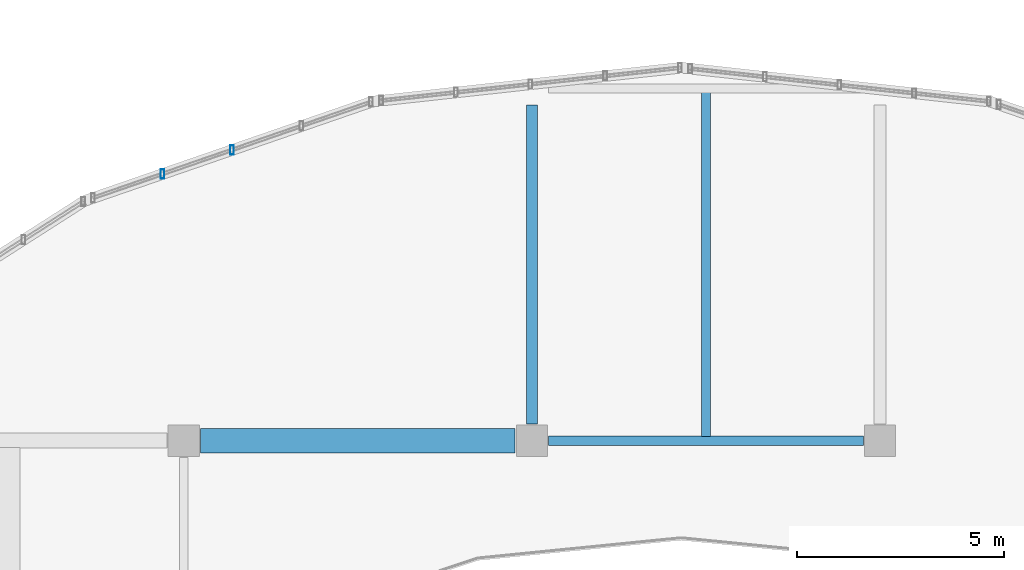
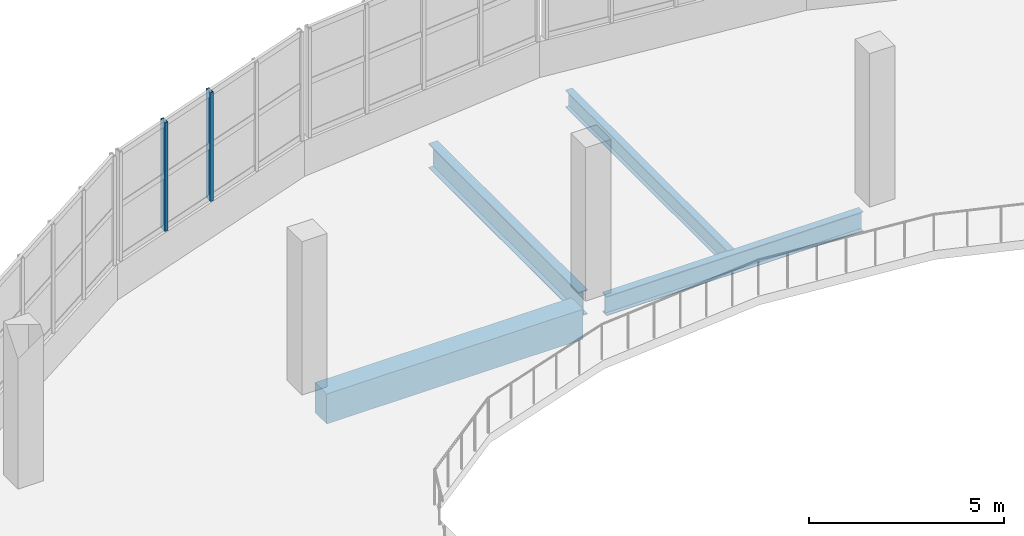
# One storey, part 19 of 117: 4 beams, 2 members, 1 element without a shape of its own.
"""IFC4 building model written with IfcOpenShell, lengths in metres."""

from ifc_helpers import new_model, si_unit, direction, frame, origin, origin_2d, place, context, subcontext, project, spatial, rectangle, hollow_rectangle, i_section, extrude, material, material_profile, profile_set, type_object, element, aggregate, save


model = new_model("IFC4")

# Units and contexts
model_context = context("Model", 3, precision=1e-05, world=origin(), true_north=direction((0.0, 1.0)))
body_context = subcontext(model_context, "Body", "Model", "MODEL_VIEW")
ifc_project = project(units=[si_unit("LENGTHUNIT", "METRE"), si_unit("AREAUNIT", "SQUARE_METRE"), si_unit("VOLUMEUNIT", "CUBIC_METRE"), si_unit("PLANEANGLEUNIT", "RADIAN"), si_unit("MASSUNIT", "GRAM", prefix="KILO")], contexts=[model_context])

# Site, building, storey
site_placement = place(None, origin())
site = spatial("IfcSite", under=ifc_project, at=site_placement, CompositionType="ELEMENT")
building_placement = place(site_placement, origin())
building = spatial("IfcBuilding", under=site, at=building_placement, Name="Solvento Point Concert Hall", CompositionType="ELEMENT")
storey_placement = place(building_placement, frame((0.0, 0.0, 5.39990234375)))
storey = spatial("IfcBuildingStorey", under=building, at=storey_placement, Name="L01", CompositionType="ELEMENT", Elevation=5.39990234375)

# Beams
ifc_material_1 = material(Name="Structural Steel ASTM A992 Grade 50", Category="steel")
ifc_material_profile_1 = material_profile(ifc_material_1, i_section(OverallWidth=0.20947265625, OverallDepth=0.532958984375, WebThickness=0.01025390625, FlangeThickness=0.015625, at=origin_2d()), Name="W21X62")
ifc_profile_set_1 = profile_set([ifc_material_profile_1], Name="Structural Steel ASTM A992 Grade 50")
beam_type_1 = type_object("IfcBeamType", Name="Beam_W21X62", PredefinedType="BEAM", material=ifc_profile_set_1)
beam_1_placement = place(storey_placement, frame((61.800048828125, 51.09912109375, -0.55029296875), z_axis=(0.0, 1.0, 0.0), x_axis=(-1.0, 0.0, 0.0)))
element("IfcBeam", 1, at=beam_1_placement, inside=storey, type_object=beam_type_1, Name="Secondary floor joist B-25 L01", PredefinedType="BEAM", context=body_context, shape_type="SweptSolid", body=[
    extrude(i_section(OverallWidth=0.20947265625, OverallDepth=0.532958984375, WebThickness=0.01025390625, FlangeThickness=0.015625, at=origin_2d()), origin(), (0.0, 0.0, 1.0), 8.308837890625),
])
ifc_material_2 = material(Name="Structural Steel ASTM A992 Grade 50", Category="steel")
ifc_material_profile_2 = material_profile(ifc_material_2, i_section(OverallWidth=0.228515625, OverallDepth=0.60791015625, WebThickness=0.01123046875, FlangeThickness=0.017333984375, at=origin_2d()), Name="W24X76")
ifc_profile_set_2 = profile_set([ifc_material_profile_2], Name="Structural Steel ASTM A992 Grade 50")
beam_type_2 = type_object("IfcBeamType", Name="Beam_W24X76", PredefinedType="BEAM", material=ifc_profile_set_2)
beam_2_placement = place(storey_placement, frame((58.00390625, 51.0, -0.587890625), z_axis=(1.0, 0.0, 0.0), x_axis=(0.0, 1.0, 0.0)))
element("IfcBeam", 2, at=beam_2_placement, inside=storey, type_object=beam_type_2, Name="Primary girder B-42 L01", PredefinedType="BEAM", context=body_context, shape_type="SweptSolid", body=[
    extrude(i_section(OverallWidth=0.228515625, OverallDepth=0.60791015625, WebThickness=0.01123046875, FlangeThickness=0.017333984375, at=origin_2d()), origin(), (0.0, 0.0, 1.0), 7.592041015625),
])
ifc_material_3 = material(Name="Concrete C35/45", Category="concrete")
ifc_material_profile_3 = material_profile(ifc_material_3, rectangle(XDim=0.60009765625, YDim=0.93994140625, at=origin_2d()), Name="RC-BM-600X940")
ifc_profile_set_3 = profile_set([ifc_material_profile_3], Name="Concrete C35/45")
beam_type_3 = type_object("IfcBeamType", Name="Girder_RC_600x940", PredefinedType="USERDEFINED", material=ifc_profile_set_3)
beam_3_placement = place(storey_placement, frame((49.60400390625, 51.0, -0.75390625), z_axis=(1.0, 0.0, 0.0), x_axis=(0.0, 1.0, 0.0)))
element("IfcBeam", 3, at=beam_3_placement, inside=storey, type_object=beam_type_3, Name="Primary girder B-34 L01", ObjectType="GIRDER", PredefinedType="USERDEFINED", context=body_context, shape_type="SweptSolid", body=[
    extrude(rectangle(XDim=0.60009765625, YDim=0.93994140625, at=origin_2d()), origin(), (0.0, 0.0, 1.0), 7.592041015625),
])
ifc_material_4 = material(Name="Structural Steel ASTM A992 Grade 50", Category="steel")
ifc_material_profile_4 = material_profile(ifc_material_4, i_section(OverallWidth=0.26806640625, OverallDepth=0.77001953125, WebThickness=0.015625, FlangeThickness=0.025390625, at=origin_2d()), Name="W30X132")
ifc_profile_set_4 = profile_set([ifc_material_profile_4], Name="Structural Steel ASTM A992 Grade 50")
beam_type_4 = type_object("IfcBeamType", Name="Girder_W30X132", PredefinedType="USERDEFINED", material=ifc_profile_set_4)
beam_4_placement = place(storey_placement, frame((57.60009765625, 51.404052734375, -0.6689453125), z_axis=(0.0, 1.0, 0.0), x_axis=(-1.0, 0.0, 0.0)))
element("IfcBeam", 4, at=beam_4_placement, inside=storey, type_object=beam_type_4, Name="Primary girder B-68 L01", ObjectType="GIRDER", PredefinedType="USERDEFINED", context=body_context, shape_type="SweptSolid", body=[
    extrude(i_section(OverallWidth=0.26806640625, OverallDepth=0.77001953125, WebThickness=0.015625, FlangeThickness=0.025390625, at=origin_2d()), origin(), (0.0, 0.0, 1.0), 7.69189453125),
])

# Curtain wall, members
ifc_material_5 = material(Name="Anodized Bronze Aluminium", Category="aluminium")
curtain_wall_type = type_object("IfcCurtainWallType", Name="CurtainWall_RingRibbon_L01_02", PredefinedType="USERDEFINED", material=ifc_material_5)
curtain_wall_placement = place(storey_placement, origin())
curtain_wall = element("IfcCurtainWall", 5, at=curtain_wall_placement, inside=storey, type_object=curtain_wall_type, Name="Unitised curtain wall CW-59 UCW-L01-102", ObjectType="UNITISED CURTAIN WALL", PredefinedType="USERDEFINED")
ifc_material_6 = material(Name="Anodized Bronze Aluminium", Category="aluminium")
ifc_material_profile_5 = material_profile(ifc_material_6, hollow_rectangle(XDim=0.090087890625, YDim=0.219970703125, WallThickness=0.00439453125, at=origin_2d()), Name="CW-MUL-90X220")
ifc_profile_set_5 = profile_set([ifc_material_profile_5], Name="Anodized Bronze Aluminium")
member_type = type_object("IfcMemberType", Name="Mullion_90x220", PredefinedType="MULLION", material=ifc_profile_set_5)
member_1_placement = place(storey_placement, frame((48.685302734375, 57.435302734375, 1.1201171875), z_axis=(0.0, 0.0, 1.0), x_axis=(1.0, 0.0, 0.0)))
member_1 = element("IfcMember", 6, at=member_1_placement, type_object=member_type, Name="Curtain wall mullion ML-02", PredefinedType="MULLION", context=body_context, shape_type="SweptSolid", body=[
    extrude(hollow_rectangle(XDim=0.090087890625, YDim=0.219970703125, WallThickness=0.00439453125, at=origin_2d()), origin(), (0.0, 0.0, 1.0), 3.409912109375),
])
member_2_placement = place(storey_placement, frame((50.36279296875, 58.014404296875, 1.1201171875), z_axis=(0.0, 0.0, 1.0), x_axis=(1.0, 0.0, 0.0)))
member_2 = element("IfcMember", 7, at=member_2_placement, type_object=member_type, Name="Curtain wall mullion ML-02", PredefinedType="MULLION", context=body_context, shape_type="SweptSolid", body=[
    extrude(hollow_rectangle(XDim=0.090087890625, YDim=0.219970703125, WallThickness=0.00439453125, at=origin_2d()), origin(), (0.0, 0.0, 1.0), 3.409912109375),
])
aggregate(curtain_wall, [member_1, member_2])

save(model, "model.ifc")
